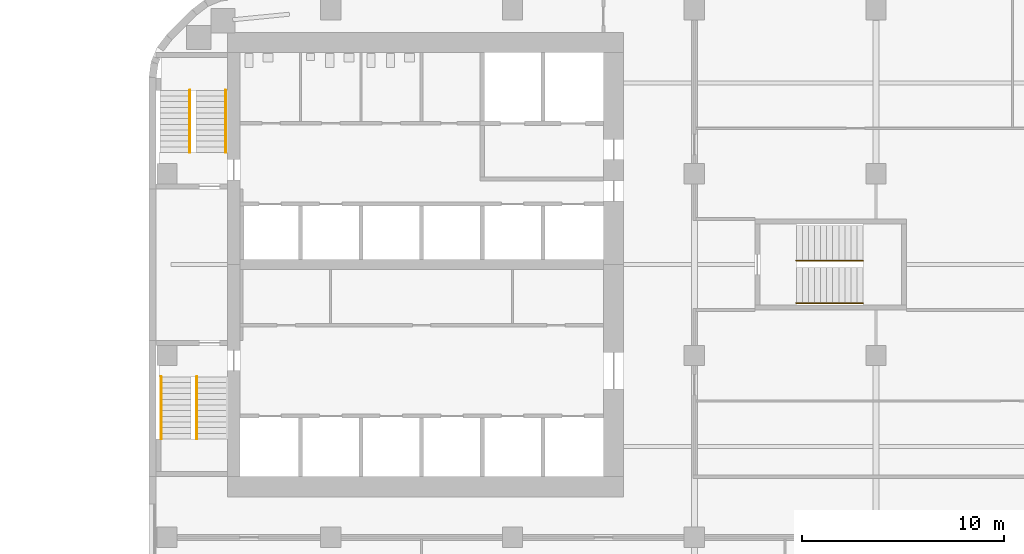
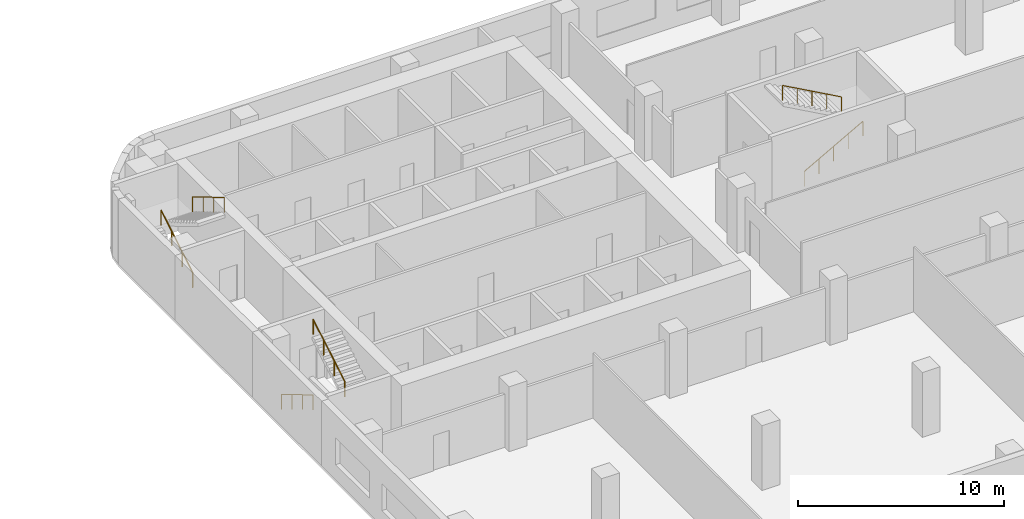
# One storey, part 14 of 15: 6 railings, 3 elements without a shape of their own.
"""IFC4 building model written with IfcOpenShell, lengths in metres."""

from ifc_helpers import new_model, si_unit, direction, frame, origin, origin_2d, place, context, subcontext, project, spatial, circle, extrude, material, type_object, element, aggregate, save


model = new_model("IFC4")

# Units and contexts
model_context = context("Model", 3, precision=1e-05, world=origin(), true_north=direction((0.0, 1.0)))
body_context = subcontext(model_context, "Body", "Model", "MODEL_VIEW")
ifc_project = project(units=[si_unit("LENGTHUNIT", "METRE"), si_unit("AREAUNIT", "SQUARE_METRE"), si_unit("VOLUMEUNIT", "CUBIC_METRE"), si_unit("PLANEANGLEUNIT", "RADIAN"), si_unit("MASSUNIT", "GRAM", prefix="KILO")], contexts=[model_context])

# Site, building, storey
site_placement = place(None, origin())
site = spatial("IfcSite", under=ifc_project, at=site_placement, CompositionType="ELEMENT")
building_placement = place(site_placement, origin())
building = spatial("IfcBuilding", under=site, at=building_placement, Name="Cinnabar Reach Civic Tower", CompositionType="ELEMENT")
storey_placement = place(building_placement, frame((0.0, 0.0, 51.0)))
storey = spatial("IfcBuildingStorey", under=building, at=storey_placement, Name="L11", CompositionType="ELEMENT", Elevation=51.0)

# Stair, railings
ifc_material_1 = material(Name="Concrete C40/50", Category="concrete")
stair_type = type_object("IfcStairType", Name="T1 Exit stair, half-turn", PredefinedType="HALF_TURN_STAIR", material=ifc_material_1)
stair_1_placement = place(storey_placement, origin())
stair_1 = element("IfcStair", 1, at=stair_1_placement, inside=storey, type_object=stair_type, Name="Stair T1-S1", PredefinedType="HALF_TURN_STAIR")
ifc_material_2 = material(Name="Stainless steel tube", Category="steel")
railing_type = type_object("IfcRailingType", Name="T1 Stair handrail, stainless tube 48", PredefinedType="HANDRAIL", material=ifc_material_2)
railing_1_placement = place(storey_placement, frame((0.6, 25.95, 0.1667)))
railing_1 = element("IfcRailing", 2, at=railing_1_placement, type_object=railing_type, Name="T1-S1 handrail 1", PredefinedType="HANDRAIL", context=body_context, shape_type="SweptSolid", body=[
    extrude(circle(Radius=0.024, at=origin_2d()), frame((0.0, 0.0, 0.876), z_axis=(0.0, -0.859296971757, 0.511476992962), x_axis=(1.0, 0.0, 0.0)), (0.0, 0.0, 1.0), 3.5843),
    extrude(circle(Radius=0.021, at=origin_2d()), origin(), (0.0, 0.0, 1.0), 0.852),
    extrude(circle(Radius=0.021, at=origin_2d()), frame((0.0, -1.0267, 0.6111)), (0.0, 0.0, 1.0), 0.852),
    extrude(circle(Radius=0.021, at=origin_2d()), frame((0.0, -2.0533, 1.2222)), (0.0, 0.0, 1.0), 0.852),
    extrude(circle(Radius=0.021, at=origin_2d()), frame((0.0, -3.08, 1.8333)), (0.0, 0.0, 1.0), 0.852),
])
railing_2_placement = place(storey_placement, frame((2.375, 22.87, 2.1667)))
railing_2 = element("IfcRailing", 3, at=railing_2_placement, type_object=railing_type, Name="T1-S1 handrail 2", PredefinedType="HANDRAIL", context=body_context, shape_type="SweptSolid", body=[
    extrude(circle(Radius=0.024, at=origin_2d()), frame((0.0, 0.0, 0.876), z_axis=(0.0, 0.859296971757, 0.511476992962), x_axis=(-1.0, 0.0, 0.0)), (0.0, 0.0, 1.0), 3.5843),
    extrude(circle(Radius=0.021, at=origin_2d()), origin(), (0.0, 0.0, 1.0), 0.852),
    extrude(circle(Radius=0.021, at=origin_2d()), frame((0.0, 1.0267, 0.6111)), (0.0, 0.0, 1.0), 0.852),
    extrude(circle(Radius=0.021, at=origin_2d()), frame((0.0, 2.0533, 1.2222)), (0.0, 0.0, 1.0), 0.852),
    extrude(circle(Radius=0.021, at=origin_2d()), frame((0.0, 3.08, 1.8333)), (0.0, 0.0, 1.0), 0.852),
])
aggregate(stair_1, [railing_1, railing_2])

stair_2_placement = place(storey_placement, origin())
stair_2 = element("IfcStair", 4, at=stair_2_placement, inside=storey, type_object=stair_type, Name="Stair T1-S2", PredefinedType="HALF_TURN_STAIR")
railing_3_placement = place(storey_placement, frame((2.025, 37.05, 0.1667)))
railing_3 = element("IfcRailing", 5, at=railing_3_placement, type_object=railing_type, Name="T1-S2 handrail 1", PredefinedType="HANDRAIL", context=body_context, shape_type="SweptSolid", body=[
    extrude(circle(Radius=0.024, at=origin_2d()), frame((0.0, 0.0, 0.876), z_axis=(0.0, 0.859296971757, 0.511476992962), x_axis=(-1.0, 0.0, 0.0)), (0.0, 0.0, 1.0), 3.5843),
    extrude(circle(Radius=0.021, at=origin_2d()), origin(), (0.0, 0.0, 1.0), 0.852),
    extrude(circle(Radius=0.021, at=origin_2d()), frame((0.0, 1.0267, 0.6111)), (0.0, 0.0, 1.0), 0.852),
    extrude(circle(Radius=0.021, at=origin_2d()), frame((0.0, 2.0533, 1.2222)), (0.0, 0.0, 1.0), 0.852),
    extrude(circle(Radius=0.021, at=origin_2d()), frame((0.0, 3.08, 1.8333)), (0.0, 0.0, 1.0), 0.852),
])
railing_4_placement = place(storey_placement, frame((3.8, 40.13, 2.1667)))
railing_4 = element("IfcRailing", 6, at=railing_4_placement, type_object=railing_type, Name="T1-S2 handrail 2", PredefinedType="HANDRAIL", context=body_context, shape_type="SweptSolid", body=[
    extrude(circle(Radius=0.024, at=origin_2d()), frame((0.0, 0.0, 0.876), z_axis=(0.0, -0.859296971757, 0.511476992962), x_axis=(1.0, 0.0, 0.0)), (0.0, 0.0, 1.0), 3.5843),
    extrude(circle(Radius=0.021, at=origin_2d()), origin(), (0.0, 0.0, 1.0), 0.852),
    extrude(circle(Radius=0.021, at=origin_2d()), frame((0.0, -1.0267, 0.6111)), (0.0, 0.0, 1.0), 0.852),
    extrude(circle(Radius=0.021, at=origin_2d()), frame((0.0, -2.0533, 1.2222)), (0.0, 0.0, 1.0), 0.852),
    extrude(circle(Radius=0.021, at=origin_2d()), frame((0.0, -3.08, 1.8333)), (0.0, 0.0, 1.0), 0.852),
])
aggregate(stair_2, [railing_3, railing_4])

stair_3_placement = place(storey_placement, origin())
stair_3 = element("IfcStair", 7, at=stair_3_placement, inside=storey, type_object=stair_type, Name="Stair T1-S3", PredefinedType="HALF_TURN_STAIR")
railing_5_placement = place(storey_placement, frame((32.05, 29.6, 0.1667)))
railing_5 = element("IfcRailing", 8, at=railing_5_placement, type_object=railing_type, Name="T1-S3 handrail 1", PredefinedType="HANDRAIL", context=body_context, shape_type="SweptSolid", body=[
    extrude(circle(Radius=0.024, at=origin_2d()), frame((0.0, 0.0, 0.876), z_axis=(0.874161024642, 0.0, 0.485636183781), x_axis=(0.0, 1.0, 0.0)), (0.0, 0.0, 1.0), 3.775),
    extrude(circle(Radius=0.021, at=origin_2d()), origin(), (0.0, 0.0, 1.0), 0.852),
    extrude(circle(Radius=0.021, at=origin_2d()), frame((0.825, 0.0, 0.4583)), (0.0, 0.0, 1.0), 0.852),
    extrude(circle(Radius=0.021, at=origin_2d()), frame((1.65, 0.0, 0.9167)), (0.0, 0.0, 1.0), 0.852),
    extrude(circle(Radius=0.021, at=origin_2d()), frame((2.475, 0.0, 1.375)), (0.0, 0.0, 1.0), 0.852),
    extrude(circle(Radius=0.021, at=origin_2d()), frame((3.3, 0.0, 1.8333)), (0.0, 0.0, 1.0), 0.852),
])
railing_6_placement = place(storey_placement, frame((35.35, 31.7, 2.1667)))
railing_6 = element("IfcRailing", 9, at=railing_6_placement, type_object=railing_type, Name="T1-S3 handrail 2", PredefinedType="HANDRAIL", context=body_context, shape_type="SweptSolid", body=[
    extrude(circle(Radius=0.024, at=origin_2d()), frame((0.0, 0.0, 0.876), z_axis=(-0.874161024642, 0.0, 0.485636183781), x_axis=(0.0, -1.0, 0.0)), (0.0, 0.0, 1.0), 3.775),
    extrude(circle(Radius=0.021, at=origin_2d()), origin(), (0.0, 0.0, 1.0), 0.852),
    extrude(circle(Radius=0.021, at=origin_2d()), frame((-0.825, 0.0, 0.4583)), (0.0, 0.0, 1.0), 0.852),
    extrude(circle(Radius=0.021, at=origin_2d()), frame((-1.65, 0.0, 0.9167)), (0.0, 0.0, 1.0), 0.852),
    extrude(circle(Radius=0.021, at=origin_2d()), frame((-2.475, 0.0, 1.375)), (0.0, 0.0, 1.0), 0.852),
    extrude(circle(Radius=0.021, at=origin_2d()), frame((-3.3, 0.0, 1.8333)), (0.0, 0.0, 1.0), 0.852),
])
aggregate(stair_3, [railing_5, railing_6])

save(model, "model.ifc")
